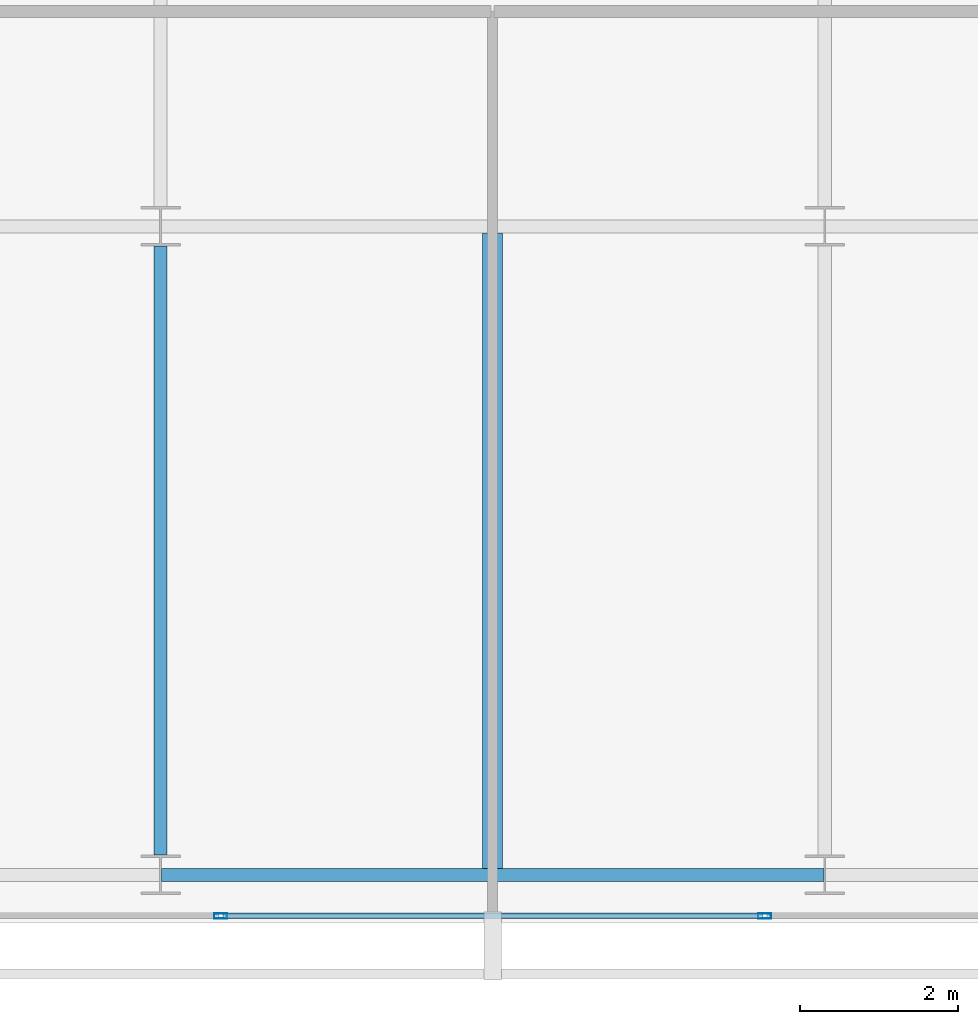
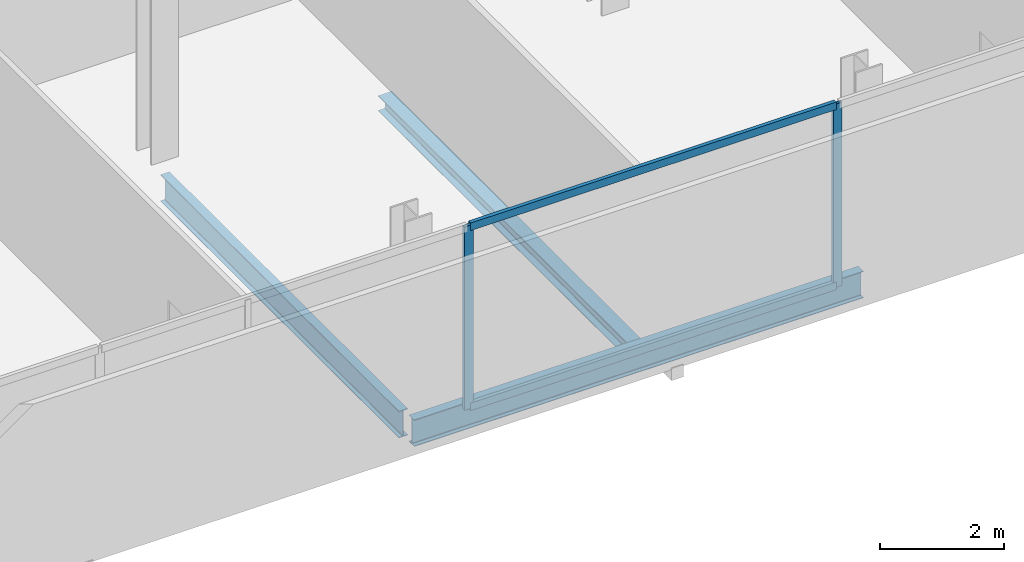
# One storey, part 6 of 25: 4 members, 3 beams, 1 element without a shape of its own.
"""IFC4 building model written with IfcOpenShell, lengths in metres."""

from ifc_helpers import new_model, si_unit, direction, frame, origin, origin_2d, place, context, subcontext, project, spatial, hollow_rectangle, i_section, extrude, material, layer, layer_set, material_profile, profile_set, type_object, element, aggregate, save


model = new_model("IFC4")

# Units and contexts
model_context = context("Model", 3, precision=1e-05, world=origin(), true_north=direction((0.0, 1.0)))
body_context = subcontext(model_context, "Body", "Model", "MODEL_VIEW")
ifc_project = project(units=[si_unit("LENGTHUNIT", "METRE"), si_unit("AREAUNIT", "SQUARE_METRE"), si_unit("VOLUMEUNIT", "CUBIC_METRE"), si_unit("PLANEANGLEUNIT", "RADIAN"), si_unit("MASSUNIT", "GRAM", prefix="KILO")], contexts=[model_context])

# Site, building, storey
site_placement = place(None, origin())
site = spatial("IfcSite", under=ifc_project, at=site_placement, CompositionType="ELEMENT")
building_placement = place(site_placement, origin())
building = spatial("IfcBuilding", under=site, at=building_placement, Name="Maruvema Waterfront Hotel and Observation Tower", CompositionType="ELEMENT")
storey_placement = place(building_placement, frame((0.0, 0.0, 277.89990234375)))
storey = spatial("IfcBuildingStorey", under=building, at=storey_placement, Name="L68", CompositionType="ELEMENT", Elevation=277.89990234375)

# Curtain wall, members
ifc_material_1 = material(Name="Anodised bronze aluminium and solar-control low-E IGU", Category="aluminium")
ifc_layer = layer(ifc_material_1, 0.159912109375, Name="Zone 3 Champagne Inner Thermal Curtain Wall System CW-04")
ifc_layer_set = layer_set([ifc_layer], Name="Anodised bronze aluminium and solar-control low-E IGU")
curtain_wall_type = type_object("IfcCurtainWallType", Name="Zone 3 Champagne Inner Thermal Curtain Wall System CW-04", PredefinedType="USERDEFINED", material=ifc_layer_set)
curtain_wall_placement = place(storey_placement, origin())
curtain_wall = element("IfcCurtainWall", 1, at=curtain_wall_placement, inside=storey, type_object=curtain_wall_type, Name="L68 Curtain Wall CW-L68-S", ObjectType="UNITISED CURTAIN WALL", PredefinedType="USERDEFINED")
ifc_material_2 = material(Name="Anodised architectural bronze aluminium", Category="aluminium")
ifc_material_profile_1 = material_profile(ifc_material_2, hollow_rectangle(XDim=0.070068359375, YDim=0.14990234375, WallThickness=0.00390625, at=origin_2d()), Name="ALU-T70x150")
ifc_profile_set_1 = profile_set([ifc_material_profile_1], Name="Anodised architectural bronze aluminium")
member_type_1 = type_object("IfcMemberType", Name="Curtain Wall Horizontal Transom ALU-T70x150", PredefinedType="USERDEFINED", material=ifc_profile_set_1)
member_1_placement = place(storey_placement, frame((34.389892578125, 9.280029296875, 0.030029296875), z_axis=(1.0, 0.0, 0.0), x_axis=(0.0, 1.0, 0.0)))
member_1 = element("IfcMember", 2, at=member_1_placement, type_object=member_type_1, Name="CW-04 transom 3.1", ObjectType="TRANSOM", PredefinedType="USERDEFINED", context=body_context, shape_type="SweptSolid", body=[
    extrude(hollow_rectangle(XDim=0.070068359375, YDim=0.14990234375, WallThickness=0.00390625, at=origin_2d()), origin(), (0.0, 0.0, 1.0), 6.820068359375),
])
member_2_placement = place(storey_placement, frame((34.389892578125, 9.280029296875, 3.580078125), z_axis=(1.0, 0.0, 0.0), x_axis=(0.0, 1.0, 0.0)))
member_2 = element("IfcMember", 3, at=member_2_placement, type_object=member_type_1, Name="CW-04 transom 3.2", ObjectType="TRANSOM", PredefinedType="USERDEFINED", context=body_context, shape_type="SweptSolid", body=[
    extrude(hollow_rectangle(XDim=0.070068359375, YDim=0.14990234375, WallThickness=0.00390625, at=origin_2d()), origin(), (0.0, 0.0, 1.0), 6.820068359375),
])
ifc_material_3 = material(Name="Anodised architectural bronze aluminium", Category="aluminium")
ifc_material_profile_2 = material_profile(ifc_material_3, hollow_rectangle(XDim=0.06494140625, YDim=0.1650390625, WallThickness=0.00390625, at=origin_2d()), Name="ALU-M65x165")
ifc_profile_set_2 = profile_set([ifc_material_profile_2], Name="Anodised architectural bronze aluminium")
member_type_2 = type_object("IfcMemberType", Name="Curtain Wall Primary Mullion ALU-M65x165", PredefinedType="MULLION", material=ifc_profile_set_2)
member_3_placement = place(storey_placement, frame((34.360107421875, 9.280029296875, 0.0), z_axis=(0.0, 0.0, 1.0), x_axis=(0.0, 1.0, 0.0)))
member_3 = element("IfcMember", 4, at=member_3_placement, type_object=member_type_2, Name="CW-04 mullion 3", PredefinedType="MULLION", context=body_context, shape_type="SweptSolid", body=[
    extrude(hollow_rectangle(XDim=0.06494140625, YDim=0.1650390625, WallThickness=0.00390625, at=origin_2d()), origin(), (0.0, 0.0, 1.0), 3.610107421875),
])
member_4_placement = place(storey_placement, frame((41.239990234375, 9.280029296875, 0.0), z_axis=(0.0, 0.0, 1.0), x_axis=(0.0, 1.0, 0.0)))
member_4 = element("IfcMember", 5, at=member_4_placement, type_object=member_type_2, Name="CW-04 mullion 4", PredefinedType="MULLION", context=body_context, shape_type="SweptSolid", body=[
    extrude(hollow_rectangle(XDim=0.06494140625, YDim=0.1650390625, WallThickness=0.00390625, at=origin_2d()), origin(), (0.0, 0.0, 1.0), 3.610107421875),
])
aggregate(curtain_wall, [member_3, member_4, member_1, member_2])

# Beams
ifc_material_4 = material(Name="Steel ASTM A572 Grade 50", Category="steel")
ifc_material_profile_3 = material_profile(ifc_material_4, i_section(OverallWidth=0.166015625, OverallDepth=0.529052734375, WebThickness=0.009765625, FlangeThickness=0.013671875, FilletRadius=0.014892578125, at=origin_2d()), Name="W530x74.0")
ifc_profile_set_3 = profile_set([ifc_material_profile_3], Name="Steel ASTM A572 Grade 50")
beam_type_1 = type_object("IfcBeamType", Name="Primary Floor Girder W530x74.0", PredefinedType="BEAM", material=ifc_profile_set_3)
beam_1_placement = place(storey_placement, frame((33.611083984375, 9.800048828125, -0.50439453125), z_axis=(1.0, 0.0, 0.0), x_axis=(0.0, 1.0, 0.0)))
element("IfcBeam", 6, at=beam_1_placement, inside=storey, type_object=beam_type_1, Name="L68 Floor Girder EW-02", PredefinedType="BEAM", context=body_context, shape_type="SweptSolid", body=[
    extrude(i_section(OverallWidth=0.166015625, OverallDepth=0.529052734375, WebThickness=0.009765625, FlangeThickness=0.013671875, FilletRadius=0.014892578125, at=origin_2d()), origin(), (0.0, 0.0, 1.0), 8.3779296875),
])
beam_2_placement = place(storey_placement, frame((33.60009765625, 10.050048828125, -0.50439453125), z_axis=(0.0, 1.0, 0.0), x_axis=(-1.0, 0.0, 0.0)))
element("IfcBeam", 7, at=beam_2_placement, inside=storey, type_object=beam_type_1, Name="L68 Floor Girder NS-08", PredefinedType="BEAM", context=body_context, shape_type="SweptSolid", body=[
    extrude(i_section(OverallWidth=0.166015625, OverallDepth=0.529052734375, WebThickness=0.009765625, FlangeThickness=0.013671875, FilletRadius=0.014892578125, at=origin_2d()), origin(), (0.0, 0.0, 1.0), 7.699951171875),
])
ifc_material_5 = material(Name="Steel ASTM A572 Grade 50", Category="steel")
ifc_material_profile_4 = material_profile(ifc_material_5, i_section(OverallWidth=0.25390625, OverallDepth=0.305908203125, WebThickness=0.0087890625, FlangeThickness=0.0146484375, FilletRadius=0.014892578125, at=origin_2d()), Name="W310x79.0")
ifc_profile_set_4 = profile_set([ifc_material_profile_4], Name="Steel ASTM A572 Grade 50")
beam_type_2 = type_object("IfcBeamType", Name="Secondary Floor Joist W310x79.0", PredefinedType="JOIST", material=ifc_profile_set_4)
beam_3_placement = place(storey_placement, frame((37.800048828125, 9.883056640625, -0.392822265625), z_axis=(0.0, 1.0, 0.0), x_axis=(-1.0, 0.0, 0.0)))
element("IfcBeam", 8, at=beam_3_placement, inside=storey, type_object=beam_type_2, Name="L68 Secondary Floor Joist JS-05", PredefinedType="JOIST", context=body_context, shape_type="SweptSolid", body=[
    extrude(i_section(OverallWidth=0.25390625, OverallDepth=0.305908203125, WebThickness=0.0087890625, FlangeThickness=0.0146484375, FilletRadius=0.014892578125, at=origin_2d()), origin(), (0.0, 0.0, 1.0), 8.033935546875),
])

save(model, "model.ifc")
